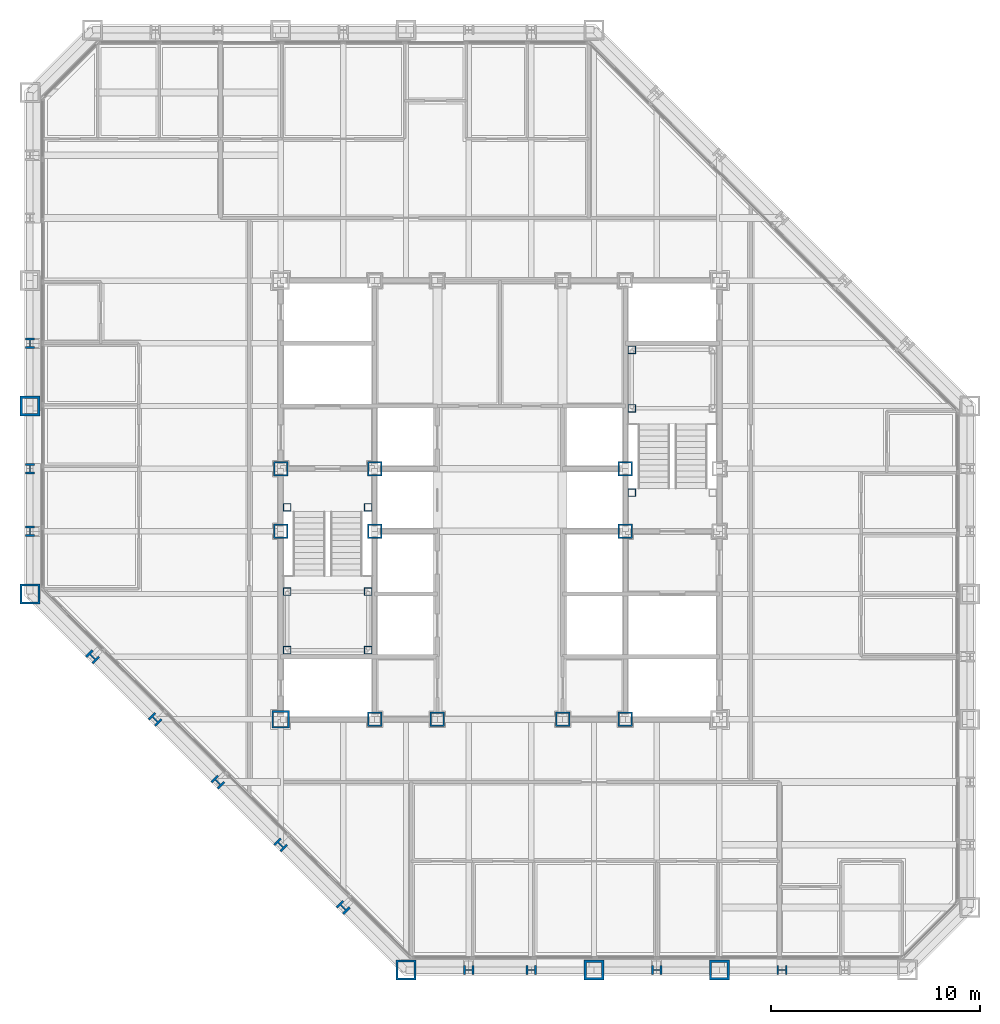
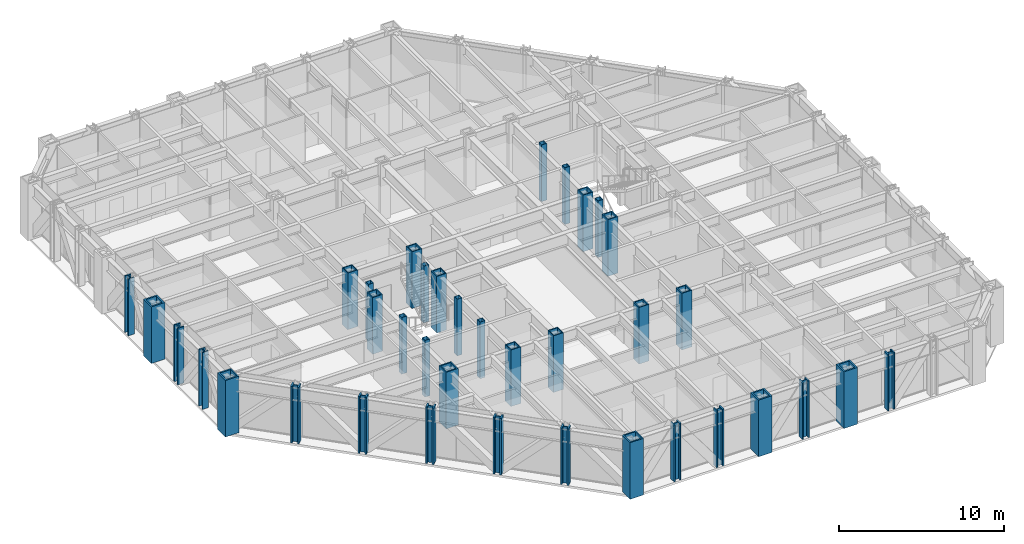
# One storey, part 1 of 16: 37 columns.
"""IFC4 building model written with IfcOpenShell, lengths in metres."""

from ifc_helpers import new_model, si_unit, direction, frame, origin, origin_2d, place, context, subcontext, project, spatial, hollow_rectangle, i_section, extrude, material, material_profile, profile_set, type_object, element, save


model = new_model("IFC4")

# Units and contexts
model_context = context("Model", 3, precision=1e-05, world=origin(), true_north=direction((0.0, 1.0)))
body_context = subcontext(model_context, "Body", "Model", "MODEL_VIEW")
ifc_project = project(units=[si_unit("LENGTHUNIT", "METRE"), si_unit("AREAUNIT", "SQUARE_METRE"), si_unit("VOLUMEUNIT", "CUBIC_METRE"), si_unit("PLANEANGLEUNIT", "RADIAN"), si_unit("MASSUNIT", "GRAM", prefix="KILO")], contexts=[model_context])

# Site, building, storey
site_placement = place(None, origin())
site = spatial("IfcSite", under=ifc_project, at=site_placement, CompositionType="ELEMENT")
building_placement = place(site_placement, origin())
building = spatial("IfcBuilding", under=site, at=building_placement, Name="Chuquiago Exchange Tower", CompositionType="ELEMENT")
storey_placement = place(building_placement, frame((0.0, 0.0, 106.800048828125)))
storey = spatial("IfcBuildingStorey", under=building, at=storey_placement, Name="L22", CompositionType="ELEMENT", Elevation=106.800048828125)

# Columns
ifc_material_1 = material(Name="Steel ASTM A992", Category="steel")
ifc_material_profile_1 = material_profile(ifc_material_1, i_section(OverallWidth=0.431884765625, OverallDepth=0.497802734375, WebThickness=0.0556640625, FlangeThickness=0.0888671875, at=origin_2d()), Name="W14X500")
ifc_profile_set_1 = profile_set([ifc_material_profile_1], Name="Steel ASTM A992")
column_type_1 = type_object("IfcColumnType", Name="C3 W14X500", PredefinedType="COLUMN", material=ifc_profile_set_1)
for number, where, z_axis, x_axis, name in (
    (1, (21.0, 0.0, 0.0), (0.0, 0.0, 1.0), (0.0, -1.0, 0.0), "COL-L22-21_0"),
    (2, (24.0, 0.0, 0.0), (0.0, 0.0, 1.0), (0.0, -1.0, 0.0), "COL-L22-24_0"),
    (3, (30.0, 0.0, 0.0), (0.0, 0.0, 1.0), (0.0, -1.0, 0.0), "COL-L22-30_0"),
    (4, (36.0, 0.0, 0.0), (0.0, 0.0, 1.0), (0.0, -1.0, 0.0), "COL-L22-36_0"),
    (5, (0.0, 30.0, 0.0), (0.0, 0.0, 1.0), (-1.0, 0.0, 0.0), "COL-L22-0_30"),
    (6, (0.0, 24.0, 0.0), (0.0, 0.0, 1.0), (-1.0, 0.0, 0.0), "COL-L22-0_24"),
    (7, (0.0, 21.0, 0.0), (0.0, 0.0, 1.0), (-1.0, 0.0, 0.0), "COL-L22-0_21"),
):
    element("IfcColumn", number, at=place(storey_placement, frame(where, z_axis=z_axis, x_axis=x_axis)), inside=storey, type_object=column_type_1, Name=name, PredefinedType="COLUMN", context=body_context, shape_type="SweptSolid", body=[
        extrude(i_section(OverallWidth=0.431884765625, OverallDepth=0.497802734375, WebThickness=0.0556640625, FlangeThickness=0.0888671875, at=origin_2d()), origin(), (0.0, 0.0, 1.0), 4.199951171875),
    ])
ifc_material_2 = material(Name="Steel ASTM A572 Grade 50", Category="steel")
ifc_material_profile_2 = material_profile(ifc_material_2, hollow_rectangle(XDim=0.699951171875, YDim=0.699951171875, WallThickness=0.070068359375, at=origin_2d()), Name="BOX700X700X70")
ifc_profile_set_2 = profile_set([ifc_material_profile_2], Name="Steel ASTM A572 Grade 50")
column_type_2 = type_object("IfcColumnType", Name="CC3 BOX700X700X70", PredefinedType="COLUMN", material=ifc_profile_set_2)
for number, where, z_axis, x_axis, name in (
    (8, (16.5, 12.0, 0.0), (0.0, 0.0, 1.0), (1.0, 0.0, 0.0), "CCOL-L22-16.5_12"),
    (9, (19.5, 12.0, 0.0), (0.0, 0.0, 1.0), (1.0, 0.0, 0.0), "CCOL-L22-19.5_12"),
    (10, (25.5, 12.0, 0.0), (0.0, 0.0, 1.0), (1.0, 0.0, 0.0), "CCOL-L22-25.5_12"),
    (11, (28.5, 12.0, 0.0), (0.0, 0.0, 1.0), (1.0, 0.0, 0.0), "CCOL-L22-28.5_12"),
    (12, (12.0, 21.0, 0.0), (0.0, 0.0, 1.0), (1.0, 0.0, 0.0), "CCOL-L22-12_21"),
    (13, (12.0, 24.0, 0.0), (0.0, 0.0, 1.0), (1.0, 0.0, 0.0), "CCOL-L22-12_24"),
    (14, (16.5, 21.0, 0.0), (0.0, 0.0, 1.0), (1.0, 0.0, 0.0), "CCOL-L22-16.5_21"),
    (15, (16.5, 24.0, 0.0), (0.0, 0.0, 1.0), (1.0, 0.0, 0.0), "CCOL-L22-16.5_24"),
    (16, (28.5, 21.0, 0.0), (0.0, 0.0, 1.0), (1.0, 0.0, 0.0), "CCOL-L22-28.5_21"),
    (17, (28.5, 24.0, 0.0), (0.0, 0.0, 1.0), (1.0, 0.0, 0.0), "CCOL-L22-28.5_24"),
):
    element("IfcColumn", number, at=place(storey_placement, frame(where, z_axis=z_axis, x_axis=x_axis)), inside=storey, type_object=column_type_2, Name=name, PredefinedType="COLUMN", context=body_context, shape_type="SweptSolid", body=[
        extrude(hollow_rectangle(XDim=0.699951171875, YDim=0.699951171875, WallThickness=0.070068359375, at=origin_2d()), origin(), (0.0, 0.0, 1.0), 4.199951171875),
    ])
ifc_material_3 = material(Name="Steel ASTM A572 Grade 50", Category="steel")
ifc_material_profile_3 = material_profile(ifc_material_3, hollow_rectangle(XDim=0.85009765625, YDim=0.85009765625, WallThickness=0.0849609375, at=origin_2d()), Name="BOX850X850X85")
ifc_profile_set_3 = profile_set([ifc_material_profile_3], Name="Steel ASTM A572 Grade 50")
column_type_3 = type_object("IfcColumnType", Name="CC6 BOX850X850X85", PredefinedType="COLUMN", material=ifc_profile_set_3)
column_placement = place(storey_placement, frame((12.0, 12.0, 0.0), z_axis=(0.0, 0.0, 1.0), x_axis=(1.0, 0.0, 0.0)))
element("IfcColumn", 18, at=column_placement, inside=storey, type_object=column_type_3, Name="CCOL-L22-12_12", PredefinedType="COLUMN", context=body_context, shape_type="SweptSolid", body=[
    extrude(hollow_rectangle(XDim=0.85009765625, YDim=0.85009765625, WallThickness=0.0849609375, at=origin_2d()), origin(), (0.0, 0.0, 1.0), 4.199951171875),
])
ifc_material_4 = material(Name="Steel ASTM A992", Category="steel")
ifc_material_profile_4 = material_profile(ifc_material_4, i_section(OverallWidth=0.44189453125, OverallDepth=0.53076171875, WebThickness=0.06591796875, FlangeThickness=0.105712890625, at=origin_2d()), Name="W14X605")
ifc_profile_set_4 = profile_set([ifc_material_profile_4], Name="Steel ASTM A992")
column_type_4 = type_object("IfcColumnType", Name="CK3 W14X605", PredefinedType="COLUMN", material=ifc_profile_set_4)
for number, where, z_axis, x_axis, name in (
    (19, (3.0, 15.0, 0.0), (0.0, 0.0, 1.0), (-0.707106781187, -0.707106781187, 0.0), "COL-L22-3_15"),
    (20, (6.0, 12.0, 0.0), (0.0, 0.0, 1.0), (-0.707106781187, -0.707106781187, 0.0), "COL-L22-6_12"),
    (21, (9.0, 9.0, 0.0), (0.0, 0.0, 1.0), (-0.707106781187, -0.707106781187, 0.0), "COL-L22-9_9"),
    (22, (12.0, 6.0, 0.0), (0.0, 0.0, 1.0), (-0.707106781187, -0.707106781187, 0.0), "COL-L22-12_6"),
    (23, (15.0, 3.0, 0.0), (0.0, 0.0, 1.0), (-0.707106781187, -0.707106781187, 0.0), "COL-L22-15_3"),
):
    element("IfcColumn", number, at=place(storey_placement, frame(where, z_axis=z_axis, x_axis=x_axis)), inside=storey, type_object=column_type_4, Name=name, PredefinedType="COLUMN", context=body_context, shape_type="SweptSolid", body=[
        extrude(i_section(OverallWidth=0.44189453125, OverallDepth=0.53076171875, WebThickness=0.06591796875, FlangeThickness=0.105712890625, at=origin_2d()), origin(), (0.0, 0.0, 1.0), 4.199951171875),
    ])
ifc_material_5 = material(Name="Steel ASTM A572 Grade 50", Category="steel")
ifc_material_profile_5 = material_profile(ifc_material_5, hollow_rectangle(XDim=0.949951171875, YDim=0.949951171875, WallThickness=0.094970703125, at=origin_2d()), Name="BOX950X950X95")
ifc_profile_set_5 = profile_set([ifc_material_profile_5], Name="Steel ASTM A572 Grade 50")
column_type_5 = type_object("IfcColumnType", Name="CN1 BOX950X950X95", PredefinedType="COLUMN", material=ifc_profile_set_5)
for number, where, z_axis, x_axis, name in (
    (24, (18.0, 0.0, 0.0), (0.0, 0.0, 1.0), (0.0, -1.0, 0.0), "COL-L22-18_0"),
    (25, (0.0, 18.0, 0.0), (0.0, 0.0, 1.0), (-1.0, 0.0, 0.0), "COL-L22-0_18"),
):
    element("IfcColumn", number, at=place(storey_placement, frame(where, z_axis=z_axis, x_axis=x_axis)), inside=storey, type_object=column_type_5, Name=name, PredefinedType="COLUMN", context=body_context, shape_type="SweptSolid", body=[
        extrude(hollow_rectangle(XDim=0.949951171875, YDim=0.949951171875, WallThickness=0.094970703125, at=origin_2d()), origin(), (0.0, 0.0, 1.0), 4.199951171875),
    ])
ifc_material_6 = material(Name="Steel ASTM A572 Grade 42", Category="steel")
ifc_material_profile_6 = material_profile(ifc_material_6, hollow_rectangle(XDim=0.949951171875, YDim=0.949951171875, WallThickness=0.110107421875, at=origin_2d()), Name="BOX950X950X110")
ifc_profile_set_6 = profile_set([ifc_material_profile_6], Name="Steel ASTM A572 Grade 42")
column_type_6 = type_object("IfcColumnType", Name="CT1 BOX950X950X110", PredefinedType="COLUMN", material=ifc_profile_set_6)
for number, where, z_axis, x_axis, name in (
    (26, (27.0, 0.0, 0.0), (0.0, 0.0, 1.0), (0.0, -1.0, 0.0), "COL-L22-27_0"),
    (27, (33.0, 0.0, 0.0), (0.0, 0.0, 1.0), (0.0, -1.0, 0.0), "COL-L22-33_0"),
    (28, (0.0, 27.0, 0.0), (0.0, 0.0, 1.0), (-1.0, 0.0, 0.0), "COL-L22-0_27"),
):
    element("IfcColumn", number, at=place(storey_placement, frame(where, z_axis=z_axis, x_axis=x_axis)), inside=storey, type_object=column_type_6, Name=name, PredefinedType="COLUMN", context=body_context, shape_type="SweptSolid", body=[
        extrude(hollow_rectangle(XDim=0.949951171875, YDim=0.949951171875, WallThickness=0.110107421875, at=origin_2d()), origin(), (0.0, 0.0, 1.0), 4.199951171875),
    ])
ifc_material_7 = material(Name="Steel ASTM A500 Grade C", Category="steel")
ifc_material_profile_7 = material_profile(ifc_material_7, hollow_rectangle(XDim=0.355712890625, YDim=0.355712890625, WallThickness=0.0146484375, at=origin_2d()), Name="HSS14X14X5/8")
ifc_profile_set_7 = profile_set([ifc_material_profile_7], Name="Steel ASTM A500 Grade C")
column_type_7 = type_object("IfcColumnType", Name="PT2 HSS14X14X5/8", PredefinedType="COLUMN", material=ifc_profile_set_7)
for number, where, z_axis, x_axis, name in (
    (29, (12.31005859375, 15.31005859375, 0.0), (0.0, 0.0, 1.0), (1.0, 0.0, 0.0), "Stair ST1 L22 landing post"),
    (30, (16.18994140625, 15.31005859375, 0.0), (0.0, 0.0, 1.0), (1.0, 0.0, 0.0), "Stair ST1 L22 landing post"),
    (31, (12.31005859375, 18.110107421875, 0.0), (0.0, 0.0, 1.0), (1.0, 0.0, 0.0), "Stair ST1 L22 landing post"),
    (32, (16.18994140625, 18.110107421875, 0.0), (0.0, 0.0, 1.0), (1.0, 0.0, 0.0), "Stair ST1 L22 landing post"),
    (33, (12.31005859375, 22.14990234375, 0.0), (0.0, 0.0, 1.0), (1.0, 0.0, 0.0), "Stair ST1 L22 landing post"),
    (34, (16.18994140625, 22.14990234375, 0.0), (0.0, 0.0, 1.0), (1.0, 0.0, 0.0), "Stair ST1 L22 landing post"),
    (35, (28.81005859375, 29.68994140625, 0.0), (0.0, 0.0, 1.0), (1.0, 0.0, 0.0), "Stair ST2 L22 landing post"),
    (36, (28.81005859375, 26.889892578125, 0.0), (0.0, 0.0, 1.0), (1.0, 0.0, 0.0), "Stair ST2 L22 landing post"),
    (37, (28.81005859375, 22.85009765625, 0.0), (0.0, 0.0, 1.0), (1.0, 0.0, 0.0), "Stair ST2 L22 landing post"),
):
    element("IfcColumn", number, at=place(storey_placement, frame(where, z_axis=z_axis, x_axis=x_axis)), inside=storey, type_object=column_type_7, Name=name, PredefinedType="COLUMN", context=body_context, shape_type="SweptSolid", body=[
        extrude(hollow_rectangle(XDim=0.355712890625, YDim=0.355712890625, WallThickness=0.0146484375, at=origin_2d()), origin(), (0.0, 0.0, 1.0), 4.199951171875),
    ])

save(model, "model.ifc")
